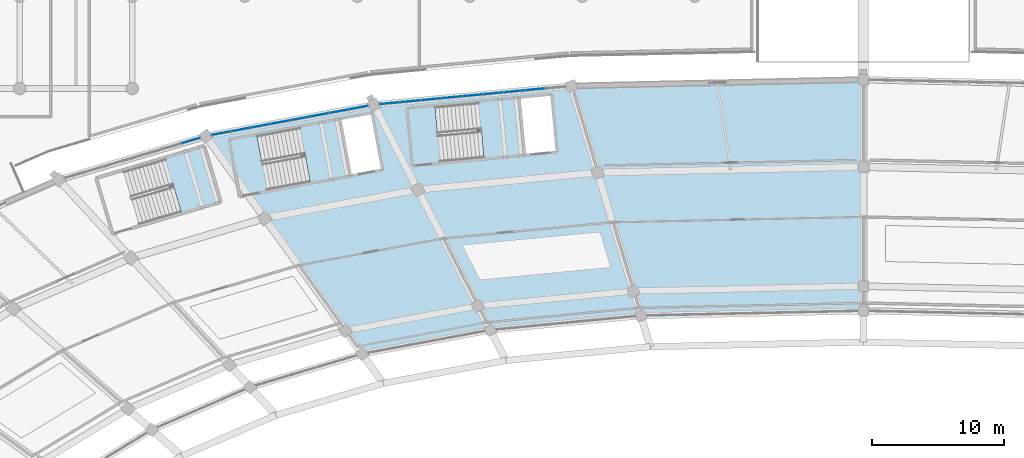
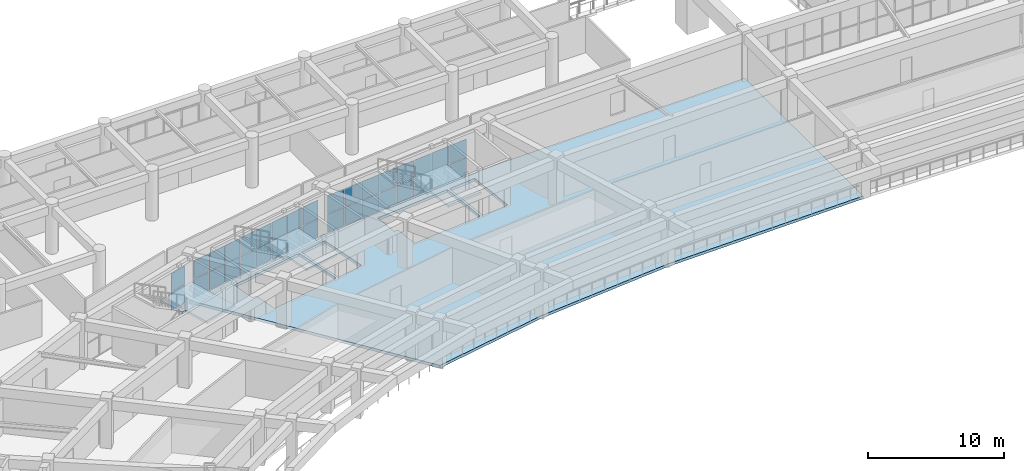
# One storey, part 87 of 145: 34 plates, 4 slabs, 6 elements without a shape of their own.
"""IFC4 building model written with IfcOpenShell, lengths in metres."""

import ifcopenshell
import ifcopenshell.guid

model = None  # the IFC model being written
_history = None  # IfcOwnerHistory: only IFC2X3 demands one
_inside = {}  # id of a spatial element -> (the spatial element, [elements in it])
_under = {}  # id of a project, library or spatial element -> (it, [spatial elements below it])
_declared = {}  # id of a project -> (the project, [libraries it declares])
_typed = {}  # id of a type object -> (the type object, [elements of that type])
_made_of = {}  # id of a material, layer set ... -> (it, [elements and type objects made of it])


def new_model(schema):
    """Start an empty IFC model of exactly this schema.

    Asked for "IFC4X3", IfcOpenShell would pick the latest addendum, in which some entities
    have other attributes; the version numbers below select the first issue.
    IFC2X3 requires an IfcOwnerHistory on every rooted entity: one is made here for all.
    """
    global model, _history
    if schema == "IFC4X3":
        model = ifcopenshell.file(schema_version=(4, 3, 0, 0))
    else:
        model = ifcopenshell.file(schema=schema)
    _inside.clear()
    _under.clear()
    _declared.clear()
    _typed.clear()
    _made_of.clear()
    _history = None
    if model.schema == "IFC2X3":
        org = make("IfcOrganization", Name="unknown")
        user = make(
            "IfcPersonAndOrganization",
            ThePerson=make("IfcPerson", FamilyName="unknown"),
            TheOrganization=org,
        )
        app = make(
            "IfcApplication",
            ApplicationDeveloper=org,
            Version="unknown",
            ApplicationFullName="unknown",
            ApplicationIdentifier="unknown",
        )
        _history = make(
            "IfcOwnerHistory",
            OwningUser=user,
            OwningApplication=app,
            ChangeAction="ADDED",
            CreationDate=0,
        )
    return model


def make(cls, **values):
    """One entity of the class cls with the attributes given. An attribute that is None is left unset."""
    return model.create_entity(
        cls, **{name: value for name, value in values.items() if value is not None}
    )


def rooted(cls, **values):
    """An entity with a GlobalId (a new one), such as an element, a storey or a relation."""
    return make(cls, GlobalId=ifcopenshell.guid.new(), OwnerHistory=_history, **values)


def si_unit(unit_type, name, prefix=None):
    """IfcSIUnit, for example si_unit("LENGTHUNIT", "METRE", prefix="MILLI")."""
    return make("IfcSIUnit", UnitType=unit_type, Prefix=prefix, Name=name)


def assignment(units):
    """IfcUnitAssignment: the units of a project."""
    return None if units is None else make("IfcUnitAssignment", Units=units)


def point(xyz):
    """IfcCartesianPoint."""
    return None if xyz is None else make("IfcCartesianPoint", Coordinates=xyz)


def direction(xyz):
    """IfcDirection."""
    return None if xyz is None else make("IfcDirection", DirectionRatios=xyz)


def frame(location, z_axis=None, x_axis=None):
    """IfcAxis2Placement3D, a coordinate frame: its origin and axes. An axis left out is left unset."""
    return make(
        "IfcAxis2Placement3D",
        Location=point(location),
        Axis=direction(z_axis),
        RefDirection=direction(x_axis),
    )


def frame_2d(location, x_axis=None):
    """IfcAxis2Placement2D, a coordinate frame in the plane: its origin and x axis."""
    return make(
        "IfcAxis2Placement2D", Location=point(location), RefDirection=direction(x_axis)
    )


def origin():
    """The frame at (0, 0, 0) with its axes left unset."""
    return frame((0.0, 0.0, 0.0))


def origin_2d():
    """The frame at (0, 0) in the plane with its x axis left unset."""
    return frame_2d((0.0, 0.0))


def place(relative_to, where):
    """IfcLocalPlacement: puts the frame where relative to a parent placement (None: the world)."""
    return make(
        "IfcLocalPlacement", PlacementRelTo=relative_to, RelativePlacement=where
    )


def context(
    kind, dimensions, precision=None, world=None, true_north=None, identifier=None
):
    """IfcGeometricRepresentationContext, for example the 3D "Model" context."""
    return make(
        "IfcGeometricRepresentationContext",
        ContextIdentifier=identifier,
        ContextType=kind,
        CoordinateSpaceDimension=dimensions,
        Precision=precision,
        WorldCoordinateSystem=world,
        TrueNorth=true_north,
    )


def subcontext(parent, identifier, kind, view, scale=None):
    """IfcGeometricRepresentationSubContext, for example "Body" below "Model"."""
    return make(
        "IfcGeometricRepresentationSubContext",
        ContextIdentifier=identifier,
        ContextType=kind,
        ParentContext=parent,
        TargetScale=scale,
        TargetView=view,
    )


def project(units=None, contexts=None):
    """IfcProject with its units and contexts."""
    return rooted(
        "IfcProject",
        Name="project",
        RepresentationContexts=contexts,
        UnitsInContext=assignment(units),
    )


def spatial(cls, under=None, at=None, **own):
    """A site, building, storey or space (cls), placed at a placement, below another one or the project."""
    s = rooted(cls, ObjectPlacement=at, **own)
    if under is not None:
        _under.setdefault(under.id(), (under, []))[1].append(s)
    return s


def polyline(points):
    """IfcPolyline through the points."""
    return make("IfcPolyline", Points=[point(p) for p in points])


def profile(cls, at=None, kind="AREA", **sizes):
    """A parametric profile (cls). Its sizes go by their IFC names, for example OverallWidth=200.0."""
    return make(cls, ProfileType=kind, Position=at, **sizes)


def rectangle(**sizes):
    """IfcRectangleProfileDef."""
    return profile("IfcRectangleProfileDef", **sizes)


def outline(outer, holes=None, kind="AREA"):
    """IfcArbitraryClosedProfileDef: a profile drawn as a closed curve; with holes, ...WithVoids."""
    if holes is None:
        return make("IfcArbitraryClosedProfileDef", ProfileType=kind, OuterCurve=outer)
    return make(
        "IfcArbitraryProfileDefWithVoids",
        ProfileType=kind,
        OuterCurve=outer,
        InnerCurves=holes,
    )


def extrude(swept, where, along, depth):
    """IfcExtrudedAreaSolid: the profile swept, set in the frame where, extruded along a direction by depth."""
    return make(
        "IfcExtrudedAreaSolid",
        SweptArea=swept,
        Position=where,
        ExtrudedDirection=direction(along),
        Depth=depth,
    )


def shape(context_of_items, identifier, shape_type, items):
    """IfcShapeRepresentation: the items that make up one representation, for example the "Body"."""
    return make(
        "IfcShapeRepresentation",
        ContextOfItems=context_of_items,
        RepresentationIdentifier=identifier,
        RepresentationType=shape_type,
        Items=items,
    )


def material(Name=None, Category=None):
    """IfcMaterial."""
    return make("IfcMaterial", Name=Name, Category=Category)


def layer(
    of_material, thickness, ventilated=None, Name=None, Category=None, Priority=None
):
    """IfcMaterialLayer: one layer of a wall or slab, of a material (None: an air gap)."""
    return make(
        "IfcMaterialLayer",
        Material=of_material,
        LayerThickness=thickness,
        IsVentilated=ventilated,
        Name=Name,
        Category=Category,
        Priority=Priority,
    )


def layer_set(layers, Name=None):
    """IfcMaterialLayerSet."""
    return make("IfcMaterialLayerSet", MaterialLayers=layers, LayerSetName=Name)


def made_of(thing, what):
    """Note that an element or type object is made of a material, layer set ...; save() writes the relation."""
    if what is not None:
        _made_of.setdefault(what.id(), (what, []))[1].append(thing)
    return thing


def type_object(cls, material=None, **own):
    """A type object (cls), such as IfcWallType, which elements share."""
    return made_of(rooted(cls, **own), material)


def element(
    cls,
    number,
    at=None,
    inside=None,
    cuts=None,
    type_object=None,
    material=None,
    context=None,
    identifier="Body",
    shape_type=None,
    held_by="IfcProductDefinitionShape",
    body=None,
    shapes=None,
    **own,
):
    """One element of the class cls, such as IfcWall. Its Tag is "e" and its number.

    at: its placement. inside: the storey or other place that contains it. cuts: it is an
    opening in that element (IfcRelVoidsElement). A single representation is given by context,
    identifier, shape_type and body (its items); several are given by shapes. held_by: the class
    of the entity that holds the representations. save() writes the other relations.
    """
    e = rooted(cls, Tag="e%d" % number, ObjectPlacement=at, **own)
    if body is not None:
        shapes = [shape(context, identifier, shape_type, body)]
    if shapes is not None:
        e.Representation = make(held_by, Representations=shapes)
    if inside is not None:
        _inside.setdefault(inside.id(), (inside, []))[1].append(e)
    if cuts is not None:
        rooted(
            "IfcRelVoidsElement", RelatingBuildingElement=cuts, RelatedOpeningElement=e
        )
    if type_object is not None:
        _typed.setdefault(type_object.id(), (type_object, []))[1].append(e)
    return made_of(e, material)


def aggregate(whole, parts):
    """IfcRelAggregates: a whole, such as a stair, and the parts it consists of."""
    return rooted("IfcRelAggregates", RelatingObject=whole, RelatedObjects=parts)


def save(model, path):
    """Write the relations noted so far, then the file.

    IfcRelAggregates (storeys below a building ...), IfcRelContainedInSpatialStructure (elements
    in a storey), IfcRelDefinesByType, IfcRelAssociatesMaterial and IfcRelDeclares: one each for
    every whole, place, type object, material and project.
    """
    for whole, parts in _under.values():
        aggregate(whole, parts)
    for where, things in _inside.values():
        rooted(
            "IfcRelContainedInSpatialStructure",
            RelatedElements=things,
            RelatingStructure=where,
        )
    for kind, things in _typed.values():
        rooted("IfcRelDefinesByType", RelatedObjects=things, RelatingType=kind)
    for what, things in _made_of.values():
        rooted("IfcRelAssociatesMaterial", RelatedObjects=things, RelatingMaterial=what)
    for by, libraries in _declared.values():
        rooted("IfcRelDeclares", RelatingContext=by, RelatedDefinitions=libraries)
    model.write(path)


model = new_model("IFC4")

# Units and contexts
model_context = context("Model", 3, precision=1e-05, world=origin(), true_north=direction((0.0, 1.0)))
body_context = subcontext(model_context, "Body", "Model", "MODEL_VIEW")
ifc_project = project(units=[si_unit("LENGTHUNIT", "METRE"), si_unit("AREAUNIT", "SQUARE_METRE"), si_unit("VOLUMEUNIT", "CUBIC_METRE"), si_unit("PLANEANGLEUNIT", "RADIAN"), si_unit("MASSUNIT", "GRAM", prefix="KILO")], contexts=[model_context])

# Site, building, storey
site_placement = place(None, origin())
site = spatial("IfcSite", under=ifc_project, at=site_placement, CompositionType="ELEMENT")
building_placement = place(site_placement, origin())
building = spatial("IfcBuilding", under=site, at=building_placement, Name="Mphavela Belvedere Stadium", CompositionType="ELEMENT")
storey_placement = place(building_placement, frame((0.0, 0.0, 10.199951171875)))
storey = spatial("IfcBuildingStorey", under=building, at=storey_placement, Name="L02", CompositionType="ELEMENT", Elevation=10.199951171875)

# Curtain wall, plates
ifc_material_1 = material(Name="Anodised bronze unitised curtain wall framing")
ifc_layer_1 = layer(ifc_material_1, 0.18505859375)
ifc_layer_set_1 = layer_set([ifc_layer_1], Name="Anodised bronze unitised curtain wall framing")
curtain_wall_type_1 = type_object("IfcCurtainWallType", Name="CW-UNIT-02", PredefinedType="USERDEFINED", material=ifc_layer_set_1)
curtain_wall_1_placement = place(storey_placement, origin())
curtain_wall_1 = element("IfcCurtainWall", 1, at=curtain_wall_1_placement, inside=storey, type_object=curtain_wall_type_1, Name="Belvedere colonnade curtain wall L02-14", ObjectType="UNITISED CURTAIN WALL", PredefinedType="USERDEFINED")
ifc_material_2 = material(Name="Solar-control double glazing", Category="glass")
ifc_layer_2 = layer(ifc_material_2, 0.031982421875)
ifc_layer_set_2 = layer_set([ifc_layer_2], Name="Solar-control double glazing")
plate_type = type_object("IfcPlateType", Name="CWP-SOLAR-GLASS", PredefinedType="CURTAIN_PANEL", material=ifc_layer_set_2)
plate_1_placement = place(storey_placement, frame((90.128173828125, 159.930908203125, 0.06005859375), z_axis=(0.0, 0.0, 1.0), x_axis=(-0.99548434828, -0.094925825406, 0.0)))
plate_1 = element("IfcPlate", 2, at=plate_1_placement, type_object=plate_type, Name="CW-02 panel 2.1", PredefinedType="CURTAIN_PANEL", context=body_context, shape_type="SweptSolid", body=[
    extrude(rectangle(XDim=1.51611328125, YDim=0.031982421875, at=origin_2d()), origin(), (0.0, 0.0, 1.0), 1.6201171875),
])
plate_2_placement = place(storey_placement, frame((90.128173828125, 159.930908203125, 1.739990234375), z_axis=(0.0, 0.0, 1.0), x_axis=(-0.99548434828, -0.094925825406, 0.0)))
plate_2 = element("IfcPlate", 3, at=plate_2_placement, type_object=plate_type, Name="CW-02 panel 2.2", PredefinedType="CURTAIN_PANEL", context=body_context, shape_type="SweptSolid", body=[
    extrude(rectangle(XDim=1.51611328125, YDim=0.031982421875, at=origin_2d()), origin(), (0.0, 0.0, 1.0), 1.6201171875),
])
plate_3_placement = place(storey_placement, frame((88.55419921875, 159.78076171875, 0.06005859375), z_axis=(0.0, 0.0, 1.0), x_axis=(-0.99548434828, -0.094925825406, 0.0)))
plate_3 = element("IfcPlate", 4, at=plate_3_placement, type_object=plate_type, Name="CW-02 panel 3.1", PredefinedType="CURTAIN_PANEL", context=body_context, shape_type="SweptSolid", body=[
    extrude(rectangle(XDim=1.51611328125, YDim=0.031982421875, at=origin_2d()), origin(), (0.0, 0.0, 1.0), 1.6201171875),
])
plate_4_placement = place(storey_placement, frame((88.55419921875, 159.78076171875, 1.739990234375), z_axis=(0.0, 0.0, 1.0), x_axis=(-0.99548434828, -0.094925825406, 0.0)))
plate_4 = element("IfcPlate", 5, at=plate_4_placement, type_object=plate_type, Name="CW-02 panel 3.2", PredefinedType="CURTAIN_PANEL", context=body_context, shape_type="SweptSolid", body=[
    extrude(rectangle(XDim=1.51611328125, YDim=0.031982421875, at=origin_2d()), origin(), (0.0, 0.0, 1.0), 1.6201171875),
])
plate_5_placement = place(storey_placement, frame((86.980224609375, 159.630615234375, 0.06005859375), z_axis=(0.0, 0.0, 1.0), x_axis=(-0.99548434828, -0.094925825406, 0.0)))
plate_5 = element("IfcPlate", 6, at=plate_5_placement, type_object=plate_type, Name="CW-02 panel 4.1", PredefinedType="CURTAIN_PANEL", context=body_context, shape_type="SweptSolid", body=[
    extrude(rectangle(XDim=1.51611328125, YDim=0.031982421875, at=origin_2d()), origin(), (0.0, 0.0, 1.0), 1.6201171875),
])
plate_6_placement = place(storey_placement, frame((86.980224609375, 159.630615234375, 1.739990234375), z_axis=(0.0, 0.0, 1.0), x_axis=(-0.99548434828, -0.094925825406, 0.0)))
plate_6 = element("IfcPlate", 7, at=plate_6_placement, type_object=plate_type, Name="CW-02 panel 4.2", PredefinedType="CURTAIN_PANEL", context=body_context, shape_type="SweptSolid", body=[
    extrude(rectangle(XDim=1.51611328125, YDim=0.031982421875, at=origin_2d()), origin(), (0.0, 0.0, 1.0), 1.6201171875),
])
plate_7_placement = place(storey_placement, frame((85.40625, 159.480712890625, 0.06005859375), z_axis=(0.0, 0.0, 1.0), x_axis=(-0.99548434828, -0.094925825406, 0.0)))
plate_7 = element("IfcPlate", 8, at=plate_7_placement, type_object=plate_type, Name="CW-02 panel 5.1", PredefinedType="CURTAIN_PANEL", context=body_context, shape_type="SweptSolid", body=[
    extrude(rectangle(XDim=1.51611328125, YDim=0.031982421875, at=origin_2d()), origin(), (0.0, 0.0, 1.0), 1.6201171875),
])
plate_8_placement = place(storey_placement, frame((85.40625, 159.480712890625, 1.739990234375), z_axis=(0.0, 0.0, 1.0), x_axis=(-0.99548434828, -0.094925825406, 0.0)))
plate_8 = element("IfcPlate", 9, at=plate_8_placement, type_object=plate_type, Name="CW-02 panel 5.2", PredefinedType="CURTAIN_PANEL", context=body_context, shape_type="SweptSolid", body=[
    extrude(rectangle(XDim=1.51611328125, YDim=0.031982421875, at=origin_2d()), origin(), (0.0, 0.0, 1.0), 1.6201171875),
])
plate_9_placement = place(storey_placement, frame((83.832275390625, 159.33056640625, 0.06005859375), z_axis=(0.0, 0.0, 1.0), x_axis=(-0.99548434828, -0.094925825406, 0.0)))
plate_9 = element("IfcPlate", 10, at=plate_9_placement, type_object=plate_type, Name="CW-02 panel 6.1", PredefinedType="CURTAIN_PANEL", context=body_context, shape_type="SweptSolid", body=[
    extrude(rectangle(XDim=1.51611328125, YDim=0.031982421875, at=origin_2d()), origin(), (0.0, 0.0, 1.0), 1.6201171875),
])
plate_10_placement = place(storey_placement, frame((83.832275390625, 159.33056640625, 1.739990234375), z_axis=(0.0, 0.0, 1.0), x_axis=(-0.99548434828, -0.094925825406, 0.0)))
plate_10 = element("IfcPlate", 11, at=plate_10_placement, type_object=plate_type, Name="CW-02 panel 6.2", PredefinedType="CURTAIN_PANEL", context=body_context, shape_type="SweptSolid", body=[
    extrude(rectangle(XDim=1.51611328125, YDim=0.031982421875, at=origin_2d()), origin(), (0.0, 0.0, 1.0), 1.6201171875),
])
plate_11_placement = place(storey_placement, frame((82.25830078125, 159.180419921875, 0.06005859375), z_axis=(0.0, 0.0, 1.0), x_axis=(-0.99548434828, -0.094925825406, 0.0)))
plate_11 = element("IfcPlate", 12, at=plate_11_placement, type_object=plate_type, Name="CW-02 panel 7.1", PredefinedType="CURTAIN_PANEL", context=body_context, shape_type="SweptSolid", body=[
    extrude(rectangle(XDim=1.51611328125, YDim=0.031982421875, at=origin_2d()), origin(), (0.0, 0.0, 1.0), 1.6201171875),
])
plate_12_placement = place(storey_placement, frame((82.25830078125, 159.180419921875, 1.739990234375), z_axis=(0.0, 0.0, 1.0), x_axis=(-0.99548434828, -0.094925825406, 0.0)))
plate_12 = element("IfcPlate", 13, at=plate_12_placement, type_object=plate_type, Name="CW-02 panel 7.2", PredefinedType="CURTAIN_PANEL", context=body_context, shape_type="SweptSolid", body=[
    extrude(rectangle(XDim=1.51611328125, YDim=0.031982421875, at=origin_2d()), origin(), (0.0, 0.0, 1.0), 1.6201171875),
])
plate_13_placement = place(storey_placement, frame((80.684326171875, 159.0302734375, 0.06005859375), z_axis=(0.0, 0.0, 1.0), x_axis=(-0.99548434828, -0.094925825406, 0.0)))
plate_13 = element("IfcPlate", 14, at=plate_13_placement, type_object=plate_type, Name="CW-02 panel 8.1", PredefinedType="CURTAIN_PANEL", context=body_context, shape_type="SweptSolid", body=[
    extrude(rectangle(XDim=1.51611328125, YDim=0.031982421875, at=origin_2d()), origin(), (0.0, 0.0, 1.0), 1.6201171875),
])
plate_14_placement = place(storey_placement, frame((80.684326171875, 159.0302734375, 1.739990234375), z_axis=(0.0, 0.0, 1.0), x_axis=(-0.99548434828, -0.094925825406, 0.0)))
plate_14 = element("IfcPlate", 15, at=plate_14_placement, type_object=plate_type, Name="CW-02 panel 8.2", PredefinedType="CURTAIN_PANEL", context=body_context, shape_type="SweptSolid", body=[
    extrude(rectangle(XDim=1.51611328125, YDim=0.031982421875, at=origin_2d()), origin(), (0.0, 0.0, 1.0), 1.6201171875),
])
plate_15_placement = place(storey_placement, frame((79.12646484375, 158.8818359375, 0.06005859375), z_axis=(0.0, 0.0, 1.0), x_axis=(-0.99548434828, -0.094925825406, 0.0)))
plate_15 = element("IfcPlate", 16, at=plate_15_placement, type_object=plate_type, Name="CW-02 panel 9.1", PredefinedType="CURTAIN_PANEL", context=body_context, shape_type="SweptSolid", body=[
    extrude(rectangle(XDim=1.483642578125, YDim=0.031982421875, at=origin_2d()), origin(), (0.0, 0.0, 1.0), 1.6201171875),
])
plate_16_placement = place(storey_placement, frame((79.12646484375, 158.8818359375, 1.739990234375), z_axis=(0.0, 0.0, 1.0), x_axis=(-0.99548434828, -0.094925825406, 0.0)))
plate_16 = element("IfcPlate", 17, at=plate_16_placement, type_object=plate_type, Name="CW-02 panel 9.2", PredefinedType="CURTAIN_PANEL", context=body_context, shape_type="SweptSolid", body=[
    extrude(rectangle(XDim=1.483642578125, YDim=0.031982421875, at=origin_2d()), origin(), (0.0, 0.0, 1.0), 1.6201171875),
])
aggregate(curtain_wall_1, [plate_1, plate_2, plate_3, plate_4, plate_5, plate_6, plate_7, plate_8, plate_9, plate_10, plate_11, plate_12, plate_13, plate_14, plate_15, plate_16])

ifc_material_3 = material(Name="Anodised bronze unitised curtain wall framing")
ifc_layer_3 = layer(ifc_material_3, 0.18994140625)
ifc_layer_set_3 = layer_set([ifc_layer_3], Name="Anodised bronze unitised curtain wall framing")
curtain_wall_type_2 = type_object("IfcCurtainWallType", Name="CW-UNIT-03", PredefinedType="USERDEFINED", material=ifc_layer_set_3)
curtain_wall_2_placement = place(storey_placement, origin())
curtain_wall_2 = element("IfcCurtainWall", 18, at=curtain_wall_2_placement, inside=storey, type_object=curtain_wall_type_2, Name="Belvedere colonnade curtain wall L02-15", ObjectType="UNITISED CURTAIN WALL", PredefinedType="USERDEFINED")
plate_17_placement = place(storey_placement, frame((76.773193359375, 158.552490234375, 0.06005859375), z_axis=(0.0, 0.0, 1.0), x_axis=(-0.983097097753, -0.1830849431, 0.0)))
plate_17 = element("IfcPlate", 19, at=plate_17_placement, type_object=plate_type, Name="CW-03 panel 1.1", PredefinedType="CURTAIN_PANEL", context=body_context, shape_type="SweptSolid", body=[
    extrude(rectangle(XDim=1.42138671875, YDim=0.031982421875, at=origin_2d()), origin(), (0.0, 0.0, 1.0), 1.6201171875),
])
plate_18_placement = place(storey_placement, frame((76.773193359375, 158.552490234375, 1.739990234375), z_axis=(0.0, 0.0, 1.0), x_axis=(-0.983097097753, -0.1830849431, 0.0)))
plate_18 = element("IfcPlate", 20, at=plate_18_placement, type_object=plate_type, Name="CW-03 panel 1.2", PredefinedType="CURTAIN_PANEL", context=body_context, shape_type="SweptSolid", body=[
    extrude(rectangle(XDim=1.42138671875, YDim=0.031982421875, at=origin_2d()), origin(), (0.0, 0.0, 1.0), 1.6201171875),
])
plate_19_placement = place(storey_placement, frame((75.296142578125, 158.27734375, 0.06005859375), z_axis=(0.0, 0.0, 1.0), x_axis=(-0.983097097753, -0.1830849431, 0.0)))
plate_19 = element("IfcPlate", 21, at=plate_19_placement, type_object=plate_type, Name="CW-03 panel 2.1", PredefinedType="CURTAIN_PANEL", context=body_context, shape_type="SweptSolid", body=[
    extrude(rectangle(XDim=1.453857421875, YDim=0.031982421875, at=origin_2d()), origin(), (0.0, 0.0, 1.0), 1.6201171875),
])
plate_20_placement = place(storey_placement, frame((75.296142578125, 158.27734375, 1.739990234375), z_axis=(0.0, 0.0, 1.0), x_axis=(-0.983097097753, -0.1830849431, 0.0)))
plate_20 = element("IfcPlate", 22, at=plate_20_placement, type_object=plate_type, Name="CW-03 panel 2.2", PredefinedType="CURTAIN_PANEL", context=body_context, shape_type="SweptSolid", body=[
    extrude(rectangle(XDim=1.453857421875, YDim=0.031982421875, at=origin_2d()), origin(), (0.0, 0.0, 1.0), 1.6201171875),
])
plate_21_placement = place(storey_placement, frame((73.802734375, 157.999267578125, 0.06005859375), z_axis=(0.0, 0.0, 1.0), x_axis=(-0.983097097753, -0.1830849431, 0.0)))
plate_21 = element("IfcPlate", 23, at=plate_21_placement, type_object=plate_type, Name="CW-03 panel 3.1", PredefinedType="CURTAIN_PANEL", context=body_context, shape_type="SweptSolid", body=[
    extrude(rectangle(XDim=1.453857421875, YDim=0.031982421875, at=origin_2d()), origin(), (0.0, 0.0, 1.0), 1.6201171875),
])
plate_22_placement = place(storey_placement, frame((73.802734375, 157.999267578125, 1.739990234375), z_axis=(0.0, 0.0, 1.0), x_axis=(-0.983097097753, -0.1830849431, 0.0)))
plate_22 = element("IfcPlate", 24, at=plate_22_placement, type_object=plate_type, Name="CW-03 panel 3.2", PredefinedType="CURTAIN_PANEL", context=body_context, shape_type="SweptSolid", body=[
    extrude(rectangle(XDim=1.453857421875, YDim=0.031982421875, at=origin_2d()), origin(), (0.0, 0.0, 1.0), 1.6201171875),
])
plate_23_placement = place(storey_placement, frame((72.3095703125, 157.72119140625, 0.06005859375), z_axis=(0.0, 0.0, 1.0), x_axis=(-0.983097097753, -0.1830849431, 0.0)))
plate_23 = element("IfcPlate", 25, at=plate_23_placement, type_object=plate_type, Name="CW-03 panel 4.1", PredefinedType="CURTAIN_PANEL", context=body_context, shape_type="SweptSolid", body=[
    extrude(rectangle(XDim=1.453857421875, YDim=0.031982421875, at=origin_2d()), origin(), (0.0, 0.0, 1.0), 1.6201171875),
])
plate_24_placement = place(storey_placement, frame((72.3095703125, 157.72119140625, 1.739990234375), z_axis=(0.0, 0.0, 1.0), x_axis=(-0.983097097753, -0.1830849431, 0.0)))
plate_24 = element("IfcPlate", 26, at=plate_24_placement, type_object=plate_type, Name="CW-03 panel 4.2", PredefinedType="CURTAIN_PANEL", context=body_context, shape_type="SweptSolid", body=[
    extrude(rectangle(XDim=1.453857421875, YDim=0.031982421875, at=origin_2d()), origin(), (0.0, 0.0, 1.0), 1.6201171875),
])
plate_25_placement = place(storey_placement, frame((70.81640625, 157.443115234375, 0.06005859375), z_axis=(0.0, 0.0, 1.0), x_axis=(-0.983097097753, -0.1830849431, 0.0)))
plate_25 = element("IfcPlate", 27, at=plate_25_placement, type_object=plate_type, Name="CW-03 panel 5.1", PredefinedType="CURTAIN_PANEL", context=body_context, shape_type="SweptSolid", body=[
    extrude(rectangle(XDim=1.453857421875, YDim=0.031982421875, at=origin_2d()), origin(), (0.0, 0.0, 1.0), 1.6201171875),
])
plate_26_placement = place(storey_placement, frame((70.81640625, 157.443115234375, 1.739990234375), z_axis=(0.0, 0.0, 1.0), x_axis=(-0.983097097753, -0.1830849431, 0.0)))
plate_26 = element("IfcPlate", 28, at=plate_26_placement, type_object=plate_type, Name="CW-03 panel 5.2", PredefinedType="CURTAIN_PANEL", context=body_context, shape_type="SweptSolid", body=[
    extrude(rectangle(XDim=1.453857421875, YDim=0.031982421875, at=origin_2d()), origin(), (0.0, 0.0, 1.0), 1.6201171875),
])
plate_27_placement = place(storey_placement, frame((69.3232421875, 157.1650390625, 0.06005859375), z_axis=(0.0, 0.0, 1.0), x_axis=(-0.983097097753, -0.1830849431, 0.0)))
plate_27 = element("IfcPlate", 29, at=plate_27_placement, type_object=plate_type, Name="CW-03 panel 6.1", PredefinedType="CURTAIN_PANEL", context=body_context, shape_type="SweptSolid", body=[
    extrude(rectangle(XDim=1.453857421875, YDim=0.031982421875, at=origin_2d()), origin(), (0.0, 0.0, 1.0), 1.6201171875),
])
plate_28_placement = place(storey_placement, frame((69.3232421875, 157.1650390625, 1.739990234375), z_axis=(0.0, 0.0, 1.0), x_axis=(-0.983097097753, -0.1830849431, 0.0)))
plate_28 = element("IfcPlate", 30, at=plate_28_placement, type_object=plate_type, Name="CW-03 panel 6.2", PredefinedType="CURTAIN_PANEL", context=body_context, shape_type="SweptSolid", body=[
    extrude(rectangle(XDim=1.453857421875, YDim=0.031982421875, at=origin_2d()), origin(), (0.0, 0.0, 1.0), 1.6201171875),
])
plate_29_placement = place(storey_placement, frame((67.829833984375, 156.886962890625, 0.06005859375), z_axis=(0.0, 0.0, 1.0), x_axis=(-0.983097097753, -0.1830849431, 0.0)))
plate_29 = element("IfcPlate", 31, at=plate_29_placement, type_object=plate_type, Name="CW-03 panel 7.1", PredefinedType="CURTAIN_PANEL", context=body_context, shape_type="SweptSolid", body=[
    extrude(rectangle(XDim=1.453857421875, YDim=0.031982421875, at=origin_2d()), origin(), (0.0, 0.0, 1.0), 1.6201171875),
])
plate_30_placement = place(storey_placement, frame((67.829833984375, 156.886962890625, 1.739990234375), z_axis=(0.0, 0.0, 1.0), x_axis=(-0.983097097753, -0.1830849431, 0.0)))
plate_30 = element("IfcPlate", 32, at=plate_30_placement, type_object=plate_type, Name="CW-03 panel 7.2", PredefinedType="CURTAIN_PANEL", context=body_context, shape_type="SweptSolid", body=[
    extrude(rectangle(XDim=1.453857421875, YDim=0.031982421875, at=origin_2d()), origin(), (0.0, 0.0, 1.0), 1.6201171875),
])
plate_31_placement = place(storey_placement, frame((66.352783203125, 156.61181640625, 0.06005859375), z_axis=(0.0, 0.0, 1.0), x_axis=(-0.983097097753, -0.1830849431, 0.0)))
plate_31 = element("IfcPlate", 33, at=plate_31_placement, type_object=plate_type, Name="CW-03 panel 8.1", PredefinedType="CURTAIN_PANEL", context=body_context, shape_type="SweptSolid", body=[
    extrude(rectangle(XDim=1.42138671875, YDim=0.031982421875, at=origin_2d()), origin(), (0.0, 0.0, 1.0), 1.6201171875),
])
plate_32_placement = place(storey_placement, frame((66.352783203125, 156.61181640625, 1.739990234375), z_axis=(0.0, 0.0, 1.0), x_axis=(-0.983097097753, -0.1830849431, 0.0)))
plate_32 = element("IfcPlate", 34, at=plate_32_placement, type_object=plate_type, Name="CW-03 panel 8.2", PredefinedType="CURTAIN_PANEL", context=body_context, shape_type="SweptSolid", body=[
    extrude(rectangle(XDim=1.42138671875, YDim=0.031982421875, at=origin_2d()), origin(), (0.0, 0.0, 1.0), 1.6201171875),
])
aggregate(curtain_wall_2, [plate_17, plate_18, plate_19, plate_20, plate_21, plate_22, plate_23, plate_24, plate_25, plate_26, plate_27, plate_28, plate_29, plate_30, plate_31, plate_32])

ifc_material_4 = material(Name="Anodised bronze unitised curtain wall framing")
ifc_layer_4 = layer(ifc_material_4, 0.195068359375)
ifc_layer_set_4 = layer_set([ifc_layer_4], Name="Anodised bronze unitised curtain wall framing")
curtain_wall_type_3 = type_object("IfcCurtainWallType", Name="CW-UNIT-04", PredefinedType="USERDEFINED", material=ifc_layer_set_4)
curtain_wall_3_placement = place(storey_placement, origin())
curtain_wall_3 = element("IfcCurtainWall", 35, at=curtain_wall_3_placement, inside=storey, type_object=curtain_wall_type_3, Name="Belvedere colonnade curtain wall L02-16", ObjectType="UNITISED CURTAIN WALL", PredefinedType="USERDEFINED")
plate_33_placement = place(storey_placement, frame((64.060791015625, 156.05908203125, 0.06005859375), z_axis=(0.0, 0.0, 1.0), x_axis=(-0.95866207188, -0.284547064542, 0.0)))
plate_33 = element("IfcPlate", 36, at=plate_33_placement, type_object=plate_type, Name="CW-04 panel 1.1", PredefinedType="CURTAIN_PANEL", context=body_context, shape_type="SweptSolid", body=[
    extrude(rectangle(XDim=1.4482421875, YDim=0.031982421875, at=origin_2d()), origin(), (0.0, 0.0, 1.0), 1.6201171875),
])
plate_34_placement = place(storey_placement, frame((64.060791015625, 156.05908203125, 1.739990234375), z_axis=(0.0, 0.0, 1.0), x_axis=(-0.95866207188, -0.284547064542, 0.0)))
plate_34 = element("IfcPlate", 37, at=plate_34_placement, type_object=plate_type, Name="CW-04 panel 1.2", PredefinedType="CURTAIN_PANEL", context=body_context, shape_type="SweptSolid", body=[
    extrude(rectangle(XDim=1.4482421875, YDim=0.031982421875, at=origin_2d()), origin(), (0.0, 0.0, 1.0), 1.6201171875),
])
aggregate(curtain_wall_3, [plate_33, plate_34])

# Slab
ifc_material_5 = material(Name="Concrete C40/50", Category="concrete")
ifc_layer_5 = layer(ifc_material_5, 0.25)
ifc_layer_set_5 = layer_set([ifc_layer_5], Name="Concrete C40/50")
slab_type_1 = type_object("IfcSlabType", Name="SLB-CONCOURSE-250", PredefinedType="FLOOR", material=ifc_layer_set_5)
slab_1_placement = place(storey_placement, frame((0.0, 0.0, -0.25)))
element("IfcSlab", 38, at=slab_1_placement, inside=storey, type_object=slab_type_1, Name="Concourse sector slab L02-S3:1", PredefinedType="FLOOR", context=body_context, shape_type="SweptSolid", body=[
    extrude(outline(polyline([(77.038330078125, 139.898681640625), (65.19873046875, 156.39697265625), (77.92724609375, 158.767333984375), (92.885498046875, 160.19384765625), (115.0, 160.669921875), (115.0, 143.156005859375), (98.142822265625, 142.79296875), (86.74072265625, 141.705810546875), (77.038330078125, 139.898681640625)]), holes=[polyline([(70.1708984375, 152.37158203125), (76.0302734375, 153.462890625), (75.262939453125, 157.58203125), (69.073486328125, 156.429443359375), (69.45703125, 154.369873046875), (69.787353515625, 154.431396484375), (70.1708984375, 152.37158203125)]), polyline([(77.701171875, 158.0361328125), (75.479248046875, 157.622314453125), (76.246337890625, 153.503173828125), (78.46826171875, 153.9169921875), (77.701171875, 158.0361328125)]), polyline([(82.7578125, 156.5283203125), (83.09228515625, 156.56005859375), (83.291259765625, 154.474609375), (89.224365234375, 155.04052734375), (88.826416015625, 159.211669921875), (82.558837890625, 158.61376953125), (82.7578125, 156.5283203125)]), polyline([(89.443359375, 155.0615234375), (91.693115234375, 155.276123046875), (91.295166015625, 159.447265625), (89.04541015625, 159.232421875), (89.443359375, 155.0615234375)])]), origin(), (0.0, 0.0, 1.0), 0.25),
])

# Stair, slab
ifc_material_6 = material(Name="Concrete C40/50", Category="concrete")
stair_type_1 = type_object("IfcStairType", Name="STR-HALF-TURN-2", PredefinedType="HALF_TURN_STAIR", material=ifc_material_6)
stair_1_placement = place(storey_placement, origin())
stair_1 = element("IfcStair", 39, at=stair_1_placement, inside=storey, type_object=stair_type_1, Name="L02 Escape stair core C02", PredefinedType="HALF_TURN_STAIR")
ifc_material_7 = material(Name="Concrete C40/50", Category="concrete")
ifc_layer_6 = layer(ifc_material_7, 0.199951171875)
ifc_layer_set_6 = layer_set([ifc_layer_6], Name="Concrete C40/50")
slab_type_2 = type_object("IfcSlabType", Name="SLB-LANDING-200", PredefinedType="LANDING", material=ifc_layer_set_6)
slab_2_placement = place(storey_placement, frame((0.0, 0.0, 2.050048828125)))
slab_2 = element("IfcSlab", 40, at=slab_2_placement, type_object=slab_type_2, Name="ST-C02 landing 1", PredefinedType="LANDING", context=body_context, shape_type="SweptSolid", body=[
    extrude(outline(polyline([(73.11962890625, 152.798828125), (76.052001953125, 153.344970703125), (75.240966796875, 157.7001953125), (71.95947265625, 157.0888671875), (72.364990234375, 154.911376953125), (72.714111328125, 154.976318359375), (73.11962890625, 152.798828125)])), origin(), (0.0, 0.0, 1.0), 0.199951171875),
])
aggregate(stair_1, [slab_2])

ifc_material_8 = material(Name="Concrete C40/50", Category="concrete")
stair_type_2 = type_object("IfcStairType", Name="STR-HALF-TURN-1", PredefinedType="HALF_TURN_STAIR", material=ifc_material_8)
stair_2_placement = place(storey_placement, origin())
stair_2 = element("IfcStair", 41, at=stair_2_placement, inside=storey, type_object=stair_type_2, Name="L02 Escape stair core C04", PredefinedType="HALF_TURN_STAIR")
slab_3_placement = place(storey_placement, frame((0.0, 0.0, 2.050048828125)))
slab_3 = element("IfcSlab", 42, at=slab_3_placement, type_object=slab_type_2, Name="ST-C04 landing 1", PredefinedType="LANDING", context=body_context, shape_type="SweptSolid", body=[
    extrude(outline(polyline([(86.266357421875, 154.6376953125), (89.23583984375, 154.921142578125), (88.81494140625, 159.3310546875), (85.4921875, 159.01416015625), (85.702392578125, 156.80908203125), (86.055908203125, 156.8427734375), (86.266357421875, 154.6376953125)])), origin(), (0.0, 0.0, 1.0), 0.199951171875),
])
aggregate(stair_2, [slab_3])

ifc_material_9 = material(Name="Precast concrete C45/55", Category="concrete")
stair_type_3 = type_object("IfcStairType", Name="STR-TWO-RET-1", PredefinedType="TWO_STRAIGHT_RUN_STAIR", material=ifc_material_9)
stair_3_placement = place(storey_placement, origin())
stair_3 = element("IfcStair", 43, at=stair_3_placement, inside=storey, type_object=stair_type_3, Name="L02 Escape stair core P03", PredefinedType="TWO_STRAIGHT_RUN_STAIR")
slab_4_placement = place(storey_placement, frame((0.0, 0.0, 2.050048828125)))
slab_4 = element("IfcSlab", 44, at=slab_4_placement, type_object=slab_type_2, Name="ST-P03 landing 1", PredefinedType="LANDING", context=body_context, shape_type="SweptSolid", body=[
    extrude(outline(polyline([(63.37451171875, 150.5263671875), (66.234375, 151.375), (64.973876953125, 155.6220703125), (61.773681640625, 154.67236328125), (62.404052734375, 152.548828125), (62.744384765625, 152.64990234375), (63.37451171875, 150.5263671875)])), origin(), (0.0, 0.0, 1.0), 0.199951171875),
])
aggregate(stair_3, [slab_4])

save(model, "model.ifc")
